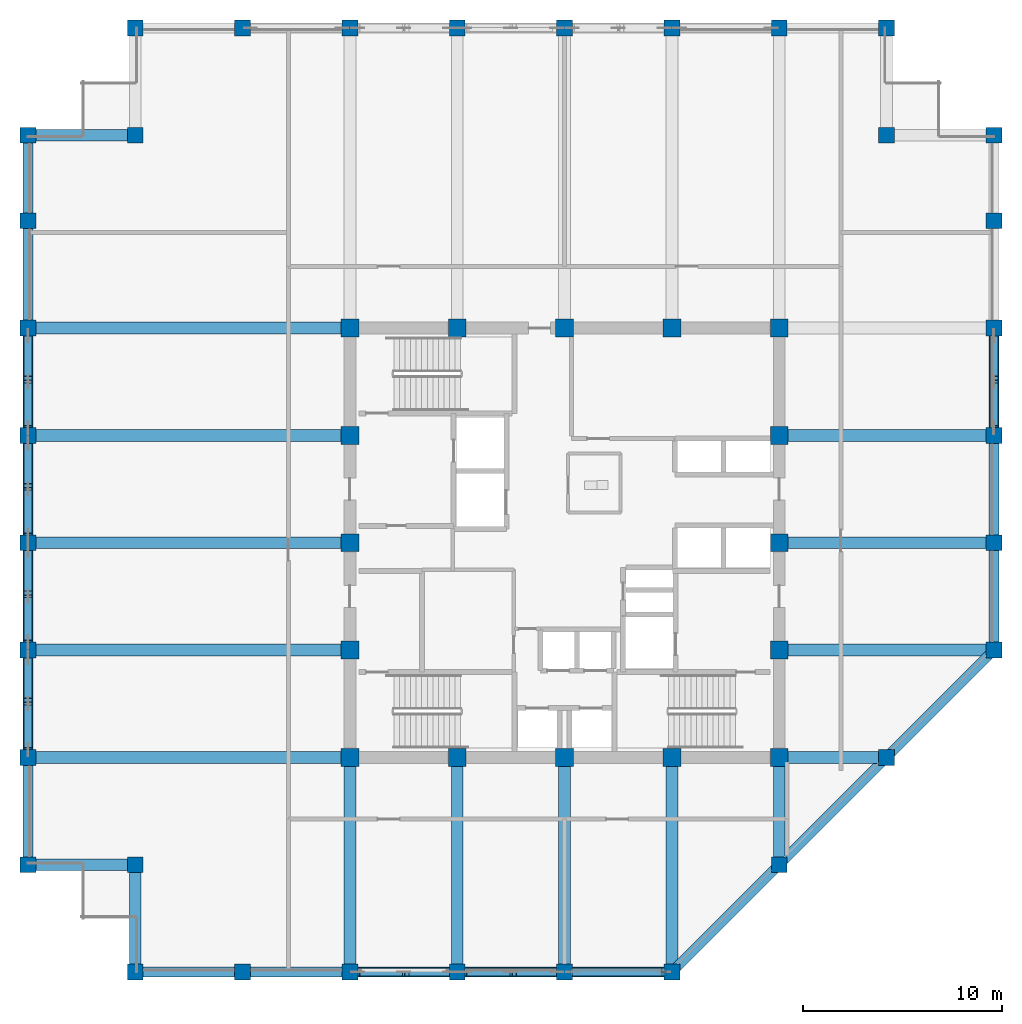
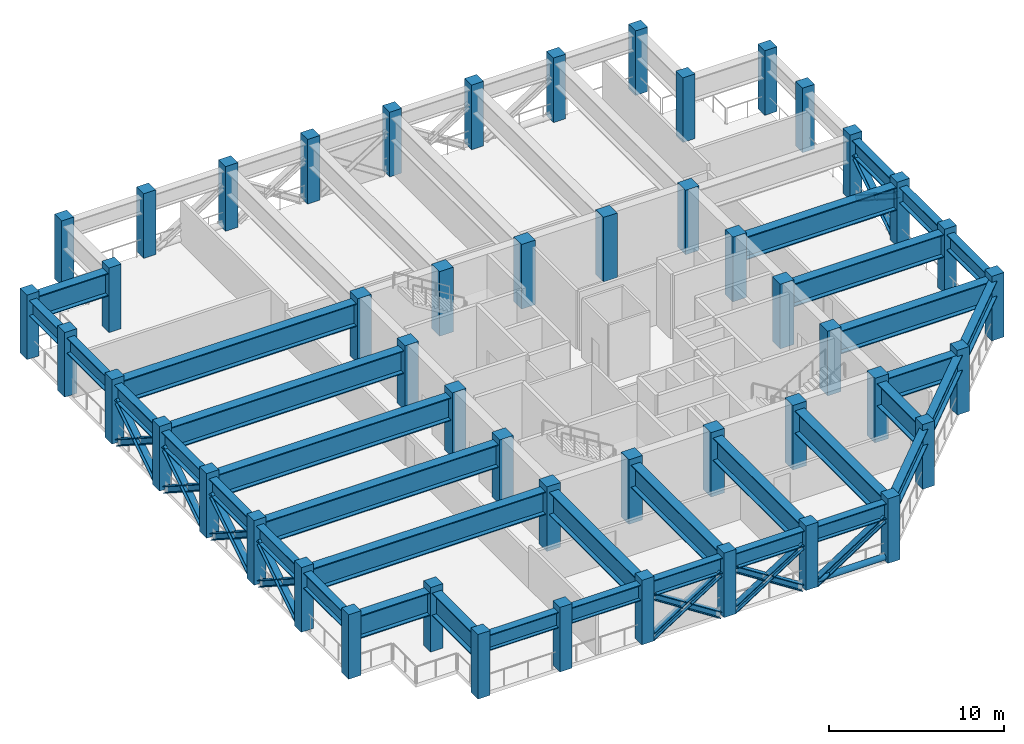
# One storey, part 1 of 11: 49 columns, 35 beams, 23 members.
"""IFC4 building model written with IfcOpenShell, lengths in metres."""

from ifc_helpers import new_model, si_unit, direction, frame, origin, origin_2d, place, context, subcontext, project, spatial, rectangle, hollow_circle, i_section, extrude, material, material_profile, profile_set, type_object, element, save


model = new_model("IFC4")

# Units and contexts
model_context = context("Model", 3, precision=1e-05, world=origin(), true_north=direction((0.0, 1.0)))
body_context = subcontext(model_context, "Body", "Model", "MODEL_VIEW")
ifc_project = project(units=[si_unit("LENGTHUNIT", "METRE"), si_unit("AREAUNIT", "SQUARE_METRE"), si_unit("VOLUMEUNIT", "CUBIC_METRE"), si_unit("PLANEANGLEUNIT", "RADIAN"), si_unit("MASSUNIT", "GRAM", prefix="KILO")], contexts=[model_context])

# Site, building, storey
site_placement = place(None, origin())
site = spatial("IfcSite", under=ifc_project, at=site_placement, CompositionType="ELEMENT")
building_placement = place(site_placement, origin())
building = spatial("IfcBuilding", under=site, at=building_placement, Name="Surkhivell Harbour Commons", CompositionType="ELEMENT")
storey_placement = place(building_placement, frame((0.0, 0.0, 254.25)))
storey = spatial("IfcBuildingStorey", under=building, at=storey_placement, Name="L66", CompositionType="ELEMENT", Elevation=254.25)

# Columns
ifc_material_1 = material(Name="Concrete C60/75", Category="concrete")
ifc_material_profile_1 = material_profile(ifc_material_1, rectangle(XDim=0.89990234375, YDim=0.89990234375, at=origin_2d()), Name="RC-COL-900x900")
ifc_profile_set_1 = profile_set([ifc_material_profile_1], Name="Concrete C60/75")
column_type_1 = type_object("IfcColumnType", Name="COL-TUBE-Z3A", PredefinedType="COLUMN", material=ifc_profile_set_1)
for number, where, z_axis, x_axis, name in (
    (1, (-10.800048828125, -10.800048828125, 0.0), (0.0, 0.0, 1.0), (1.0, 0.0, 0.0), "L66 Column CT-3A (-10.8,-10.8)"),
    (2, (-10.800048828125, -5.39990234375, 0.0), (0.0, 0.0, 1.0), (1.0, 0.0, 0.0), "L66 Column CT-3A (-10.8,-5.4)"),
    (3, (-10.800048828125, 0.0, 0.0), (0.0, 0.0, 1.0), (1.0, 0.0, 0.0), "L66 Column CT-3A (-10.8,0.0)"),
    (4, (-10.800048828125, 5.39990234375, 0.0), (0.0, 0.0, 1.0), (1.0, 0.0, 0.0), "L66 Column CT-3A (-10.8,5.4)"),
    (5, (-10.800048828125, 10.800048828125, 0.0), (0.0, 0.0, 1.0), (1.0, 0.0, 0.0), "L66 Column CT-3A (-10.8,10.8)"),
    (6, (-5.39990234375, -10.800048828125, 0.0), (0.0, 0.0, 1.0), (1.0, 0.0, 0.0), "L66 Column CT-3A (-5.4,-10.8)"),
    (7, (-5.39990234375, 10.800048828125, 0.0), (0.0, 0.0, 1.0), (1.0, 0.0, 0.0), "L66 Column CT-3A (-5.4,10.8)"),
    (8, (0.0, -10.800048828125, 0.0), (0.0, 0.0, 1.0), (1.0, 0.0, 0.0), "L66 Column CT-3A (0.0,-10.8)"),
    (9, (0.0, 10.800048828125, 0.0), (0.0, 0.0, 1.0), (1.0, 0.0, 0.0), "L66 Column CT-3A (0.0,10.8)"),
    (10, (5.39990234375, -10.800048828125, 0.0), (0.0, 0.0, 1.0), (1.0, 0.0, 0.0), "L66 Column CT-3A (5.4,-10.8)"),
    (11, (5.39990234375, 10.800048828125, 0.0), (0.0, 0.0, 1.0), (1.0, 0.0, 0.0), "L66 Column CT-3A (5.4,10.8)"),
    (12, (10.800048828125, -10.800048828125, 0.0), (0.0, 0.0, 1.0), (1.0, 0.0, 0.0), "L66 Column CT-3A (10.8,-10.8)"),
    (13, (10.800048828125, -5.39990234375, 0.0), (0.0, 0.0, 1.0), (1.0, 0.0, 0.0), "L66 Column CT-3A (10.8,-5.4)"),
    (14, (10.800048828125, 0.0, 0.0), (0.0, 0.0, 1.0), (1.0, 0.0, 0.0), "L66 Column CT-3A (10.8,0.0)"),
    (15, (10.800048828125, 5.39990234375, 0.0), (0.0, 0.0, 1.0), (1.0, 0.0, 0.0), "L66 Column CT-3A (10.8,5.4)"),
    (16, (10.800048828125, 10.800048828125, 0.0), (0.0, 0.0, 1.0), (1.0, 0.0, 0.0), "L66 Column CT-3A (10.8,10.8)"),
):
    element("IfcColumn", number, at=place(storey_placement, frame(where, z_axis=z_axis, x_axis=x_axis)), inside=storey, type_object=column_type_1, Name=name, PredefinedType="COLUMN", context=body_context, shape_type="SweptSolid", body=[
        extrude(rectangle(XDim=0.89990234375, YDim=0.89990234375, at=origin_2d()), origin(), (0.0, 0.0, 1.0), 4.5),
    ])
ifc_material_2 = material(Name="Concrete C50/60", Category="concrete")
ifc_material_profile_2 = material_profile(ifc_material_2, rectangle(XDim=0.800048828125, YDim=0.800048828125, at=origin_2d()), Name="RC-COL-800x800")
ifc_profile_set_2 = profile_set([ifc_material_profile_2], Name="Concrete C50/60")
column_type_2 = type_object("IfcColumnType", Name="COL-TUBE-Z3B", PredefinedType="COLUMN", material=ifc_profile_set_2)
for number, where, z_axis, x_axis, name in (
    (17, (-27.0, -16.199951171875, 0.0), (0.0, 0.0, 1.0), (1.0, 0.0, 0.0), "L66 Column CT-3B (-27.0,-16.2)"),
    (18, (-27.0, -10.800048828125, 0.0), (0.0, 0.0, 1.0), (1.0, 0.0, 0.0), "L66 Column CT-3B (-27.0,-10.8)"),
    (19, (-27.0, -5.39990234375, 0.0), (0.0, 0.0, 1.0), (1.0, 0.0, 0.0), "L66 Column CT-3B (-27.0,-5.4)"),
    (20, (-27.0, 0.0, 0.0), (0.0, 0.0, 1.0), (1.0, 0.0, 0.0), "L66 Column CT-3B (-27.0,0.0)"),
    (21, (-27.0, 5.39990234375, 0.0), (0.0, 0.0, 1.0), (1.0, 0.0, 0.0), "L66 Column CT-3B (-27.0,5.4)"),
    (22, (-27.0, 10.800048828125, 0.0), (0.0, 0.0, 1.0), (1.0, 0.0, 0.0), "L66 Column CT-3B (-27.0,10.8)"),
    (23, (-27.0, 16.199951171875, 0.0), (0.0, 0.0, 1.0), (1.0, 0.0, 0.0), "L66 Column CT-3B (-27.0,16.2)"),
    (24, (-27.0, 20.5, 0.0), (0.0, 0.0, 1.0), (1.0, 0.0, 0.0), "L66 Column CT-3B (-27.0,20.5)"),
    (25, (-21.60009765625, -21.60009765625, 0.0), (0.0, 0.0, 1.0), (1.0, 0.0, 0.0), "L66 Column CT-3B (-21.6,-21.6)"),
    (26, (-21.60009765625, -16.199951171875, 0.0), (0.0, 0.0, 1.0), (1.0, 0.0, 0.0), "L66 Column CT-3B (-21.6,-16.2)"),
    (27, (-21.60009765625, 20.5, 0.0), (0.0, 0.0, 1.0), (1.0, 0.0, 0.0), "L66 Column CT-3B (-21.6,20.5)"),
    (28, (-21.60009765625, 25.89990234375, 0.0), (0.0, 0.0, 1.0), (1.0, 0.0, 0.0), "L66 Column CT-3B (-21.6,25.9)"),
    (29, (-16.199951171875, -21.60009765625, 0.0), (0.0, 0.0, 1.0), (1.0, 0.0, 0.0), "L66 Column CT-3B (-16.2,-21.6)"),
    (30, (-16.199951171875, 25.89990234375, 0.0), (0.0, 0.0, 1.0), (1.0, 0.0, 0.0), "L66 Column CT-3B (-16.2,25.9)"),
    (31, (-10.800048828125, -21.60009765625, 0.0), (0.0, 0.0, 1.0), (1.0, 0.0, 0.0), "L66 Column CT-3B (-10.8,-21.6)"),
    (32, (-10.800048828125, 25.89990234375, 0.0), (0.0, 0.0, 1.0), (1.0, 0.0, 0.0), "L66 Column CT-3B (-10.8,25.9)"),
    (33, (-5.39990234375, -21.60009765625, 0.0), (0.0, 0.0, 1.0), (1.0, 0.0, 0.0), "L66 Column CT-3B (-5.4,-21.6)"),
    (34, (-5.39990234375, 25.89990234375, 0.0), (0.0, 0.0, 1.0), (1.0, 0.0, 0.0), "L66 Column CT-3B (-5.4,25.9)"),
    (35, (0.0, -21.60009765625, 0.0), (0.0, 0.0, 1.0), (1.0, 0.0, 0.0), "L66 Column CT-3B (-0.0,-21.6)"),
    (36, (0.0, 25.89990234375, 0.0), (0.0, 0.0, 1.0), (1.0, 0.0, 0.0), "L66 Column CT-3B (-0.0,25.9)"),
    (37, (5.39990234375, -21.60009765625, 0.0), (0.0, 0.0, 1.0), (1.0, 0.0, 0.0), "L66 Column CT-3B (5.4,-21.6)"),
    (38, (5.39990234375, 25.89990234375, 0.0), (0.0, 0.0, 1.0), (1.0, 0.0, 0.0), "L66 Column CT-3B (5.4,25.9)"),
    (39, (10.800048828125, -16.199951171875, 0.0), (0.0, 0.0, 1.0), (1.0, 0.0, 0.0), "L66 Column CT-3B (10.8,-16.2)"),
    (40, (10.800048828125, 25.89990234375, 0.0), (0.0, 0.0, 1.0), (1.0, 0.0, 0.0), "L66 Column CT-3B (10.8,25.9)"),
    (41, (16.199951171875, -10.800048828125, 0.0), (0.0, 0.0, 1.0), (1.0, 0.0, 0.0), "L66 Column CT-3B (16.2,-10.8)"),
    (42, (16.199951171875, 20.5, 0.0), (0.0, 0.0, 1.0), (1.0, 0.0, 0.0), "L66 Column CT-3B (16.2,20.5)"),
    (43, (16.199951171875, 25.89990234375, 0.0), (0.0, 0.0, 1.0), (1.0, 0.0, 0.0), "L66 Column CT-3B (16.2,25.9)"),
    (44, (21.60009765625, -5.39990234375, 0.0), (0.0, 0.0, 1.0), (1.0, 0.0, 0.0), "L66 Column CT-3B (21.6,-5.4)"),
    (45, (21.60009765625, 0.0, 0.0), (0.0, 0.0, 1.0), (1.0, 0.0, 0.0), "L66 Column CT-3B (21.6,0.0)"),
    (46, (21.60009765625, 5.39990234375, 0.0), (0.0, 0.0, 1.0), (1.0, 0.0, 0.0), "L66 Column CT-3B (21.6,5.4)"),
    (47, (21.60009765625, 10.800048828125, 0.0), (0.0, 0.0, 1.0), (1.0, 0.0, 0.0), "L66 Column CT-3B (21.6,10.8)"),
    (48, (21.60009765625, 16.199951171875, 0.0), (0.0, 0.0, 1.0), (1.0, 0.0, 0.0), "L66 Column CT-3B (21.6,16.2)"),
    (49, (21.60009765625, 20.5, 0.0), (0.0, 0.0, 1.0), (1.0, 0.0, 0.0), "L66 Column CT-3B (21.6,20.5)"),
):
    element("IfcColumn", number, at=place(storey_placement, frame(where, z_axis=z_axis, x_axis=x_axis)), inside=storey, type_object=column_type_2, Name=name, PredefinedType="COLUMN", context=body_context, shape_type="SweptSolid", body=[
        extrude(rectangle(XDim=0.800048828125, YDim=0.800048828125, at=origin_2d()), origin(), (0.0, 0.0, 1.0), 4.5),
    ])

# Beams
ifc_material_3 = material(Name="Steel S460", Category="steel")
ifc_material_profile_3 = material_profile(ifc_material_3, i_section(OverallWidth=0.5, OverallDepth=1.10009765625, WebThickness=0.028076171875, FlangeThickness=0.054931640625, at=origin_2d()), Name="WPG1100x500x210")
ifc_profile_set_3 = profile_set([ifc_material_profile_3], Name="Steel S460")
beam_type_1 = type_object("IfcBeamType", Name="BM-BLT-1100", PredefinedType="BEAM", material=ifc_profile_set_3)
beam_1_placement = place(storey_placement, frame((-27.0, -16.199951171875, 3.530029296875), z_axis=(0.0, 1.0, 0.0), x_axis=(-1.0, 0.0, 0.0)))
element("IfcBeam", 50, at=beam_1_placement, inside=storey, type_object=beam_type_1, Name="L66 Tube Spandrel (-27.0,-16.2)", PredefinedType="BEAM", context=body_context, shape_type="SweptSolid", body=[
    extrude(i_section(OverallWidth=0.5, OverallDepth=1.10009765625, WebThickness=0.028076171875, FlangeThickness=0.054931640625, at=origin_2d()), origin(), (0.0, 0.0, 1.0), 5.39990234375),
])
beam_2_placement = place(storey_placement, frame((-27.0, -10.800048828125, 3.530029296875), z_axis=(0.0, 1.0, 0.0), x_axis=(-1.0, 0.0, 0.0)))
element("IfcBeam", 51, at=beam_2_placement, inside=storey, type_object=beam_type_1, Name="L66 Tube Spandrel (-27.0,-10.8)", PredefinedType="BEAM", context=body_context, shape_type="SweptSolid", body=[
    extrude(i_section(OverallWidth=0.5, OverallDepth=1.10009765625, WebThickness=0.028076171875, FlangeThickness=0.054931640625, at=origin_2d()), origin(), (0.0, 0.0, 1.0), 5.400146484375),
])
for number, where, z_axis, x_axis, name in (
    (52, (-27.0, -5.39990234375, 3.530029296875), (0.0, 1.0, 0.0), (-1.0, 0.0, 0.0), "L66 Tube Spandrel (-27.0,-5.4)"),
    (53, (-27.0, 0.0, 3.530029296875), (0.0, 1.0, 0.0), (-1.0, 0.0, 0.0), "L66 Tube Spandrel (-27.0,0.0)"),
):
    element("IfcBeam", number, at=place(storey_placement, frame(where, z_axis=z_axis, x_axis=x_axis)), inside=storey, type_object=beam_type_1, Name=name, PredefinedType="BEAM", context=body_context, shape_type="SweptSolid", body=[
        extrude(i_section(OverallWidth=0.5, OverallDepth=1.10009765625, WebThickness=0.028076171875, FlangeThickness=0.054931640625, at=origin_2d()), origin(), (0.0, 0.0, 1.0), 5.39990234375),
    ])
beam_3_placement = place(storey_placement, frame((-27.0, 5.39990234375, 3.530029296875), z_axis=(0.0, 1.0, 0.0), x_axis=(-1.0, 0.0, 0.0)))
element("IfcBeam", 54, at=beam_3_placement, inside=storey, type_object=beam_type_1, Name="L66 Tube Spandrel (-27.0,5.4)", PredefinedType="BEAM", context=body_context, shape_type="SweptSolid", body=[
    extrude(i_section(OverallWidth=0.5, OverallDepth=1.10009765625, WebThickness=0.028076171875, FlangeThickness=0.054931640625, at=origin_2d()), origin(), (0.0, 0.0, 1.0), 5.400146484375),
])
beam_4_placement = place(storey_placement, frame((-27.0, 10.800048828125, 3.530029296875), z_axis=(0.0, 1.0, 0.0), x_axis=(-1.0, 0.0, 0.0)))
element("IfcBeam", 55, at=beam_4_placement, inside=storey, type_object=beam_type_1, Name="L66 Tube Spandrel (-27.0,10.8)", PredefinedType="BEAM", context=body_context, shape_type="SweptSolid", body=[
    extrude(i_section(OverallWidth=0.5, OverallDepth=1.10009765625, WebThickness=0.028076171875, FlangeThickness=0.054931640625, at=origin_2d()), origin(), (0.0, 0.0, 1.0), 5.39990234375),
])
beam_5_placement = place(storey_placement, frame((-27.0, 16.199951171875, 3.530029296875), z_axis=(0.0, 1.0, 0.0), x_axis=(-1.0, 0.0, 0.0)))
element("IfcBeam", 56, at=beam_5_placement, inside=storey, type_object=beam_type_1, Name="L66 Tube Spandrel (-27.0,16.2)", PredefinedType="BEAM", context=body_context, shape_type="SweptSolid", body=[
    extrude(i_section(OverallWidth=0.5, OverallDepth=1.10009765625, WebThickness=0.028076171875, FlangeThickness=0.054931640625, at=origin_2d()), origin(), (0.0, 0.0, 1.0), 4.300048828125),
])
beam_6_placement = place(storey_placement, frame((-21.60009765625, -21.60009765625, 3.530029296875), z_axis=(1.0, 0.0, 0.0), x_axis=(0.0, 1.0, 0.0)))
element("IfcBeam", 57, at=beam_6_placement, inside=storey, type_object=beam_type_1, Name="L66 Tube Spandrel (-21.6,-21.6)", PredefinedType="BEAM", context=body_context, shape_type="SweptSolid", body=[
    extrude(i_section(OverallWidth=0.5, OverallDepth=1.10009765625, WebThickness=0.028076171875, FlangeThickness=0.054931640625, at=origin_2d()), origin(), (0.0, 0.0, 1.0), 5.400146484375),
])
beam_7_placement = place(storey_placement, frame((-16.199951171875, -21.60009765625, 3.530029296875), z_axis=(1.0, 0.0, 0.0), x_axis=(0.0, 1.0, 0.0)))
element("IfcBeam", 58, at=beam_7_placement, inside=storey, type_object=beam_type_1, Name="L66 Tube Spandrel (-16.2,-21.6)", PredefinedType="BEAM", context=body_context, shape_type="SweptSolid", body=[
    extrude(i_section(OverallWidth=0.5, OverallDepth=1.10009765625, WebThickness=0.028076171875, FlangeThickness=0.054931640625, at=origin_2d()), origin(), (0.0, 0.0, 1.0), 5.39990234375),
])
beam_8_placement = place(storey_placement, frame((-10.800048828125, -21.60009765625, 3.530029296875), z_axis=(1.0, 0.0, 0.0), x_axis=(0.0, 1.0, 0.0)))
element("IfcBeam", 59, at=beam_8_placement, inside=storey, type_object=beam_type_1, Name="L66 Tube Spandrel (-10.8,-21.6)", PredefinedType="BEAM", context=body_context, shape_type="SweptSolid", body=[
    extrude(i_section(OverallWidth=0.5, OverallDepth=1.10009765625, WebThickness=0.028076171875, FlangeThickness=0.054931640625, at=origin_2d()), origin(), (0.0, 0.0, 1.0), 5.400146484375),
])
for number, where, z_axis, x_axis, name in (
    (60, (-5.39990234375, -21.60009765625, 3.530029296875), (1.0, 0.0, 0.0), (0.0, 1.0, 0.0), "L66 Tube Spandrel (-5.4,-21.6)"),
    (61, (0.0, -21.60009765625, 3.530029296875), (1.0, 0.0, 0.0), (0.0, 1.0, 0.0), "L66 Tube Spandrel (-0.0,-21.6)"),
):
    element("IfcBeam", number, at=place(storey_placement, frame(where, z_axis=z_axis, x_axis=x_axis)), inside=storey, type_object=beam_type_1, Name=name, PredefinedType="BEAM", context=body_context, shape_type="SweptSolid", body=[
        extrude(i_section(OverallWidth=0.5, OverallDepth=1.10009765625, WebThickness=0.028076171875, FlangeThickness=0.054931640625, at=origin_2d()), origin(), (0.0, 0.0, 1.0), 5.39990234375),
    ])
beam_9_placement = place(storey_placement, frame((5.39990234375, -21.60009765625, 3.530029296875), z_axis=(0.707106781187, 0.707106781187, 0.0), x_axis=(-0.707106781187, 0.707106781187, 0.0)))
element("IfcBeam", 62, at=beam_9_placement, inside=storey, type_object=beam_type_1, Name="L66 Tube Spandrel (5.4,-21.6)", PredefinedType="BEAM", context=body_context, shape_type="SweptSolid", body=[
    extrude(i_section(OverallWidth=0.5, OverallDepth=1.10009765625, WebThickness=0.028076171875, FlangeThickness=0.054931640625, at=origin_2d()), origin(), (0.0, 0.0, 1.0), 7.636962890625),
])
beam_10_placement = place(storey_placement, frame((10.800048828125, -16.199951171875, 3.530029296875), z_axis=(0.707106781187, 0.707106781187, 0.0), x_axis=(-0.707106781187, 0.707106781187, 0.0)))
element("IfcBeam", 63, at=beam_10_placement, inside=storey, type_object=beam_type_1, Name="L66 Tube Spandrel (10.8,-16.2)", PredefinedType="BEAM", context=body_context, shape_type="SweptSolid", body=[
    extrude(i_section(OverallWidth=0.5, OverallDepth=1.10009765625, WebThickness=0.028076171875, FlangeThickness=0.054931640625, at=origin_2d()), origin(), (0.0, 0.0, 1.0), 7.63671875),
])
beam_11_placement = place(storey_placement, frame((16.199951171875, -10.800048828125, 3.530029296875), z_axis=(0.707106781187, 0.707106781187, 0.0), x_axis=(-0.707106781187, 0.707106781187, 0.0)))
element("IfcBeam", 64, at=beam_11_placement, inside=storey, type_object=beam_type_1, Name="L66 Tube Spandrel (16.2,-10.8)", PredefinedType="BEAM", context=body_context, shape_type="SweptSolid", body=[
    extrude(i_section(OverallWidth=0.5, OverallDepth=1.10009765625, WebThickness=0.028076171875, FlangeThickness=0.054931640625, at=origin_2d()), origin(), (0.0, 0.0, 1.0), 7.636962890625),
])
for number, where, z_axis, x_axis, name in (
    (65, (21.60009765625, -5.39990234375, 3.530029296875), (0.0, 1.0, 0.0), (-1.0, 0.0, 0.0), "L66 Tube Spandrel (21.6,-5.4)"),
    (66, (21.60009765625, 0.0, 3.530029296875), (0.0, 1.0, 0.0), (-1.0, 0.0, 0.0), "L66 Tube Spandrel (21.6,0.0)"),
):
    element("IfcBeam", number, at=place(storey_placement, frame(where, z_axis=z_axis, x_axis=x_axis)), inside=storey, type_object=beam_type_1, Name=name, PredefinedType="BEAM", context=body_context, shape_type="SweptSolid", body=[
        extrude(i_section(OverallWidth=0.5, OverallDepth=1.10009765625, WebThickness=0.028076171875, FlangeThickness=0.054931640625, at=origin_2d()), origin(), (0.0, 0.0, 1.0), 5.39990234375),
    ])
beam_12_placement = place(storey_placement, frame((21.60009765625, 5.39990234375, 3.530029296875), z_axis=(0.0, 1.0, 0.0), x_axis=(-1.0, 0.0, 0.0)))
element("IfcBeam", 67, at=beam_12_placement, inside=storey, type_object=beam_type_1, Name="L66 Tube Spandrel (21.6,5.4)", PredefinedType="BEAM", context=body_context, shape_type="SweptSolid", body=[
    extrude(i_section(OverallWidth=0.5, OverallDepth=1.10009765625, WebThickness=0.028076171875, FlangeThickness=0.054931640625, at=origin_2d()), origin(), (0.0, 0.0, 1.0), 5.400146484375),
])
ifc_material_profile_4 = material_profile(ifc_material_3, i_section(OverallWidth=0.60009765625, OverallDepth=1.60009765625, WebThickness=0.035888671875, FlangeThickness=0.06494140625, at=origin_2d()), Name="WPG1600x600x296")
ifc_profile_set_4 = profile_set([ifc_material_profile_4], Name="Steel S460")
beam_type_2 = type_object("IfcBeamType", Name="BM-TRF-1600", PredefinedType="BEAM", material=ifc_profile_set_4)
beam_13_placement = place(storey_placement, frame((-27.0, -16.199951171875, 3.280029296875), z_axis=(1.0, 0.0, 0.0), x_axis=(0.0, 1.0, 0.0)))
element("IfcBeam", 68, at=beam_13_placement, inside=storey, type_object=beam_type_2, Name="L66 Floor Girder (-27.0,-16.2)", PredefinedType="BEAM", context=body_context, shape_type="SweptSolid", body=[
    extrude(i_section(OverallWidth=0.60009765625, OverallDepth=1.60009765625, WebThickness=0.035888671875, FlangeThickness=0.06494140625, at=origin_2d()), origin(), (0.0, 0.0, 1.0), 5.39990234375),
])
for number, where, z_axis, x_axis, name in (
    (69, (-27.0, -10.800048828125, 3.280029296875), (1.0, 0.0, 0.0), (0.0, 1.0, 0.0), "L66 Floor Girder (-27.0,-10.8)"),
    (70, (-27.0, -5.39990234375, 3.280029296875), (1.0, 0.0, 0.0), (0.0, 1.0, 0.0), "L66 Floor Girder (-27.0,-5.4)"),
    (71, (-27.0, 0.0, 3.280029296875), (1.0, 0.0, 0.0), (0.0, 1.0, 0.0), "L66 Floor Girder (-27.0,0.0)"),
    (72, (-27.0, 5.39990234375, 3.280029296875), (1.0, 0.0, 0.0), (0.0, 1.0, 0.0), "L66 Floor Girder (-27.0,5.4)"),
    (73, (-27.0, 10.800048828125, 3.280029296875), (1.0, 0.0, 0.0), (0.0, 1.0, 0.0), "L66 Floor Girder (-27.0,10.8)"),
):
    element("IfcBeam", number, at=place(storey_placement, frame(where, z_axis=z_axis, x_axis=x_axis)), inside=storey, type_object=beam_type_2, Name=name, PredefinedType="BEAM", context=body_context, shape_type="SweptSolid", body=[
        extrude(i_section(OverallWidth=0.60009765625, OverallDepth=1.60009765625, WebThickness=0.035888671875, FlangeThickness=0.06494140625, at=origin_2d()), origin(), (0.0, 0.0, 1.0), 16.199951171875),
    ])
beam_14_placement = place(storey_placement, frame((-27.0, 20.5, 3.280029296875), z_axis=(1.0, 0.0, 0.0), x_axis=(0.0, 1.0, 0.0)))
element("IfcBeam", 74, at=beam_14_placement, inside=storey, type_object=beam_type_2, Name="L66 Floor Girder (-27.0,20.5)", PredefinedType="BEAM", context=body_context, shape_type="SweptSolid", body=[
    extrude(i_section(OverallWidth=0.60009765625, OverallDepth=1.60009765625, WebThickness=0.035888671875, FlangeThickness=0.06494140625, at=origin_2d()), origin(), (0.0, 0.0, 1.0), 5.39990234375),
])
beam_15_placement = place(storey_placement, frame((-21.60009765625, -21.60009765625, 3.280029296875), z_axis=(0.0, 1.0, 0.0), x_axis=(-1.0, 0.0, 0.0)))
element("IfcBeam", 75, at=beam_15_placement, inside=storey, type_object=beam_type_2, Name="L66 Floor Girder (-21.6,-21.6)", PredefinedType="BEAM", context=body_context, shape_type="SweptSolid", body=[
    extrude(i_section(OverallWidth=0.60009765625, OverallDepth=1.60009765625, WebThickness=0.035888671875, FlangeThickness=0.06494140625, at=origin_2d()), origin(), (0.0, 0.0, 1.0), 5.400146484375),
])
for number, where, z_axis, x_axis, name in (
    (76, (-10.800048828125, -21.60009765625, 3.280029296875), (0.0, 1.0, 0.0), (-1.0, 0.0, 0.0), "L66 Floor Girder (-10.8,-21.6)"),
    (77, (-5.39990234375, -21.60009765625, 3.280029296875), (0.0, 1.0, 0.0), (-1.0, 0.0, 0.0), "L66 Floor Girder (-5.4,-21.6)"),
    (78, (0.0, -21.60009765625, 3.280029296875), (0.0, 1.0, 0.0), (-1.0, 0.0, 0.0), "L66 Floor Girder (0.0,-21.6)"),
    (79, (5.39990234375, -21.60009765625, 3.280029296875), (0.0, 1.0, 0.0), (-1.0, 0.0, 0.0), "L66 Floor Girder (5.4,-21.6)"),
):
    element("IfcBeam", number, at=place(storey_placement, frame(where, z_axis=z_axis, x_axis=x_axis)), inside=storey, type_object=beam_type_2, Name=name, PredefinedType="BEAM", context=body_context, shape_type="SweptSolid", body=[
        extrude(i_section(OverallWidth=0.60009765625, OverallDepth=1.60009765625, WebThickness=0.035888671875, FlangeThickness=0.06494140625, at=origin_2d()), origin(), (0.0, 0.0, 1.0), 10.800048828125),
    ])
for number, where, z_axis, x_axis, name in (
    (80, (10.800048828125, -16.199951171875, 3.280029296875), (0.0, 1.0, 0.0), (-1.0, 0.0, 0.0), "L66 Floor Girder (10.8,-16.2)"),
    (81, (10.800048828125, -10.800048828125, 3.280029296875), (1.0, 0.0, 0.0), (0.0, 1.0, 0.0), "L66 Floor Girder (10.8,-10.8)"),
):
    element("IfcBeam", number, at=place(storey_placement, frame(where, z_axis=z_axis, x_axis=x_axis)), inside=storey, type_object=beam_type_2, Name=name, PredefinedType="BEAM", context=body_context, shape_type="SweptSolid", body=[
        extrude(i_section(OverallWidth=0.60009765625, OverallDepth=1.60009765625, WebThickness=0.035888671875, FlangeThickness=0.06494140625, at=origin_2d()), origin(), (0.0, 0.0, 1.0), 5.39990234375),
    ])
for number, where, z_axis, x_axis, name in (
    (82, (10.800048828125, -5.39990234375, 3.280029296875), (1.0, 0.0, 0.0), (0.0, 1.0, 0.0), "L66 Floor Girder (10.8,-5.4)"),
    (83, (10.800048828125, 0.0, 3.280029296875), (1.0, 0.0, 0.0), (0.0, 1.0, 0.0), "L66 Floor Girder (10.8,0.0)"),
    (84, (10.800048828125, 5.39990234375, 3.280029296875), (1.0, 0.0, 0.0), (0.0, 1.0, 0.0), "L66 Floor Girder (10.8,5.4)"),
):
    element("IfcBeam", number, at=place(storey_placement, frame(where, z_axis=z_axis, x_axis=x_axis)), inside=storey, type_object=beam_type_2, Name=name, PredefinedType="BEAM", context=body_context, shape_type="SweptSolid", body=[
        extrude(i_section(OverallWidth=0.60009765625, OverallDepth=1.60009765625, WebThickness=0.035888671875, FlangeThickness=0.06494140625, at=origin_2d()), origin(), (0.0, 0.0, 1.0), 10.800048828125),
    ])

# Members
ifc_material_profile_5 = material_profile(ifc_material_3, i_section(OverallWidth=0.406005859375, OverallDepth=0.416015625, WebThickness=0.026611328125, FlangeThickness=0.0390625, at=origin_2d()), Name="HD400x382")
ifc_profile_set_5 = profile_set([ifc_material_profile_5], Name="Steel S460")
member_type_1 = type_object("IfcMemberType", Name="MEM-BLT-BT1", PredefinedType="BRACE", material=ifc_profile_set_5)
member_1_placement = place(storey_placement, frame((-27.0, -5.014892578125, 0.008056640625), z_axis=(0.0, 0.84122171058, 0.54069033064), x_axis=(-1.0, 0.0, 0.0)))
element("IfcMember", 85, at=member_1_placement, inside=storey, type_object=member_type_1, Name="L66 Belt-Truss Diagonal BT- 01", PredefinedType="BRACE", context=body_context, shape_type="SweptSolid", body=[
    extrude(i_section(OverallWidth=0.406005859375, OverallDepth=0.416015625, WebThickness=0.026611328125, FlangeThickness=0.0390625, at=origin_2d()), origin(), (0.0, 0.0, 1.0), 5.503662109375),
])
for number, where, z_axis, x_axis, name in (
    (86, (-27.0, -0.385009765625, 0.008056640625), (0.0, -0.841234416459, 0.540670561955), (1.0, 0.0, 0.0), "L66 Belt-Truss Diagonal BT- 02"),
    (87, (-27.0, -2.867919921875, 1.60400390625), (0.0, -0.841234416459, 0.540670561955), (1.0, 0.0, 0.0), "L66 Belt-Truss Diagonal BT- 03"),
):
    element("IfcMember", number, at=place(storey_placement, frame(where, z_axis=z_axis, x_axis=x_axis)), inside=storey, type_object=member_type_1, Name=name, PredefinedType="BRACE", context=body_context, shape_type="SweptSolid", body=[
        extrude(i_section(OverallWidth=0.406005859375, OverallDepth=0.416015625, WebThickness=0.026611328125, FlangeThickness=0.0390625, at=origin_2d()), origin(), (0.0, 0.0, 1.0), 2.55224609375),
    ])
member_2_placement = place(storey_placement, frame((-27.0, 0.385009765625, 0.008056640625), z_axis=(0.0, 0.84122171058, 0.54069033064), x_axis=(-1.0, 0.0, 0.0)))
element("IfcMember", 88, at=member_2_placement, inside=storey, type_object=member_type_1, Name="L66 Belt-Truss Diagonal BT- 04", PredefinedType="BRACE", context=body_context, shape_type="SweptSolid", body=[
    extrude(i_section(OverallWidth=0.406005859375, OverallDepth=0.416015625, WebThickness=0.026611328125, FlangeThickness=0.0390625, at=origin_2d()), origin(), (0.0, 0.0, 1.0), 5.503662109375),
])
for number, where, z_axis, x_axis, name in (
    (89, (-27.0, 5.014892578125, 0.008056640625), (0.0, -0.841234416459, 0.540670561955), (1.0, 0.0, 0.0), "L66 Belt-Truss Diagonal BT- 05"),
    (90, (-27.0, 2.531982421875, 1.60400390625), (0.0, -0.841234416459, 0.540670561955), (1.0, 0.0, 0.0), "L66 Belt-Truss Diagonal BT- 06"),
):
    element("IfcMember", number, at=place(storey_placement, frame(where, z_axis=z_axis, x_axis=x_axis)), inside=storey, type_object=member_type_1, Name=name, PredefinedType="BRACE", context=body_context, shape_type="SweptSolid", body=[
        extrude(i_section(OverallWidth=0.406005859375, OverallDepth=0.416015625, WebThickness=0.026611328125, FlangeThickness=0.0390625, at=origin_2d()), origin(), (0.0, 0.0, 1.0), 2.55224609375),
    ])
member_3_placement = place(storey_placement, frame((-10.4150390625, -21.60009765625, 0.008056640625), z_axis=(0.841234677996, 0.0, 0.540670155027), x_axis=(0.0, 1.0, 0.0)))
element("IfcMember", 91, at=member_3_placement, inside=storey, type_object=member_type_1, Name="L66 Belt-Truss Diagonal BT- 13", PredefinedType="BRACE", context=body_context, shape_type="SweptSolid", body=[
    extrude(i_section(OverallWidth=0.406005859375, OverallDepth=0.416015625, WebThickness=0.026611328125, FlangeThickness=0.0390625, at=origin_2d()), origin(), (0.0, 0.0, 1.0), 5.50390625),
])
for number, where, z_axis, x_axis, name in (
    (92, (-5.784912109375, -21.60009765625, 0.008056640625), (-0.841234416459, 0.0, 0.540670561955), (0.0, -1.0, 0.0), "L66 Belt-Truss Diagonal BT- 14"),
    (93, (-8.26806640625, -21.60009765625, 1.60400390625), (-0.841234416459, 0.0, 0.540670561955), (0.0, -1.0, 0.0), "L66 Belt-Truss Diagonal BT- 15"),
):
    element("IfcMember", number, at=place(storey_placement, frame(where, z_axis=z_axis, x_axis=x_axis)), inside=storey, type_object=member_type_1, Name=name, PredefinedType="BRACE", context=body_context, shape_type="SweptSolid", body=[
        extrude(i_section(OverallWidth=0.406005859375, OverallDepth=0.416015625, WebThickness=0.026611328125, FlangeThickness=0.0390625, at=origin_2d()), origin(), (0.0, 0.0, 1.0), 2.55224609375),
    ])
member_4_placement = place(storey_placement, frame((-5.014892578125, -21.60009765625, 0.008056640625), z_axis=(0.84122171058, 0.0, 0.54069033064), x_axis=(0.0, 1.0, 0.0)))
element("IfcMember", 94, at=member_4_placement, inside=storey, type_object=member_type_1, Name="L66 Belt-Truss Diagonal BT- 16", PredefinedType="BRACE", context=body_context, shape_type="SweptSolid", body=[
    extrude(i_section(OverallWidth=0.406005859375, OverallDepth=0.416015625, WebThickness=0.026611328125, FlangeThickness=0.0390625, at=origin_2d()), origin(), (0.0, 0.0, 1.0), 5.503662109375),
])
for number, where, z_axis, x_axis, name in (
    (95, (-0.385009765625, -21.60009765625, 0.008056640625), (-0.841234416459, 0.0, 0.540670561955), (0.0, -1.0, 0.0), "L66 Belt-Truss Diagonal BT- 17"),
    (96, (-2.867919921875, -21.60009765625, 1.60400390625), (-0.841234416459, 0.0, 0.540670561955), (0.0, -1.0, 0.0), "L66 Belt-Truss Diagonal BT- 18"),
):
    element("IfcMember", number, at=place(storey_placement, frame(where, z_axis=z_axis, x_axis=x_axis)), inside=storey, type_object=member_type_1, Name=name, PredefinedType="BRACE", context=body_context, shape_type="SweptSolid", body=[
        extrude(i_section(OverallWidth=0.406005859375, OverallDepth=0.416015625, WebThickness=0.026611328125, FlangeThickness=0.0390625, at=origin_2d()), origin(), (0.0, 0.0, 1.0), 2.55224609375),
    ])
member_5_placement = place(storey_placement, frame((21.60009765625, 5.784912109375, 0.008056640625), z_axis=(0.0, 0.841234677996, 0.540670155027), x_axis=(-1.0, 0.0, 0.0)))
element("IfcMember", 97, at=member_5_placement, inside=storey, type_object=member_type_1, Name="L66 Belt-Truss Diagonal BT- 19", PredefinedType="BRACE", context=body_context, shape_type="SweptSolid", body=[
    extrude(i_section(OverallWidth=0.406005859375, OverallDepth=0.416015625, WebThickness=0.026611328125, FlangeThickness=0.0390625, at=origin_2d()), origin(), (0.0, 0.0, 1.0), 5.50390625),
])
for number, where, z_axis, x_axis, name in (
    (98, (21.60009765625, 10.4150390625, 0.008056640625), (0.0, -0.841234416459, 0.540670561955), (1.0, 0.0, 0.0), "L66 Belt-Truss Diagonal BT- 20"),
    (99, (21.60009765625, 7.931884765625, 1.60400390625), (0.0, -0.841234416459, 0.540670561955), (1.0, 0.0, 0.0), "L66 Belt-Truss Diagonal BT- 21"),
):
    element("IfcMember", number, at=place(storey_placement, frame(where, z_axis=z_axis, x_axis=x_axis)), inside=storey, type_object=member_type_1, Name=name, PredefinedType="BRACE", context=body_context, shape_type="SweptSolid", body=[
        extrude(i_section(OverallWidth=0.406005859375, OverallDepth=0.416015625, WebThickness=0.026611328125, FlangeThickness=0.0390625, at=origin_2d()), origin(), (0.0, 0.0, 1.0), 2.55224609375),
    ])
member_6_placement = place(storey_placement, frame((-27.0, -10.4150390625, 0.008056640625), z_axis=(0.0, 0.841234677996, 0.540670155027), x_axis=(-1.0, 0.0, 0.0)))
element("IfcMember", 100, at=member_6_placement, inside=storey, type_object=member_type_1, Name="L66 Belt-Truss Diagonal BT- 25", PredefinedType="BRACE", context=body_context, shape_type="SweptSolid", body=[
    extrude(i_section(OverallWidth=0.406005859375, OverallDepth=0.416015625, WebThickness=0.026611328125, FlangeThickness=0.0390625, at=origin_2d()), origin(), (0.0, 0.0, 1.0), 5.50390625),
])
for number, where, z_axis, x_axis, name in (
    (101, (-27.0, -5.784912109375, 0.008056640625), (0.0, -0.841234416459, 0.540670561955), (1.0, 0.0, 0.0), "L66 Belt-Truss Diagonal BT- 26"),
    (102, (-27.0, -8.26806640625, 1.60400390625), (0.0, -0.841234416459, 0.540670561955), (1.0, 0.0, 0.0), "L66 Belt-Truss Diagonal BT- 27"),
):
    element("IfcMember", number, at=place(storey_placement, frame(where, z_axis=z_axis, x_axis=x_axis)), inside=storey, type_object=member_type_1, Name=name, PredefinedType="BRACE", context=body_context, shape_type="SweptSolid", body=[
        extrude(i_section(OverallWidth=0.406005859375, OverallDepth=0.416015625, WebThickness=0.026611328125, FlangeThickness=0.0390625, at=origin_2d()), origin(), (0.0, 0.0, 1.0), 2.55224609375),
    ])
member_7_placement = place(storey_placement, frame((-27.0, 5.784912109375, 0.008056640625), z_axis=(0.0, 0.841234677996, 0.540670155027), x_axis=(-1.0, 0.0, 0.0)))
element("IfcMember", 103, at=member_7_placement, inside=storey, type_object=member_type_1, Name="L66 Belt-Truss Diagonal BT- 28", PredefinedType="BRACE", context=body_context, shape_type="SweptSolid", body=[
    extrude(i_section(OverallWidth=0.406005859375, OverallDepth=0.416015625, WebThickness=0.026611328125, FlangeThickness=0.0390625, at=origin_2d()), origin(), (0.0, 0.0, 1.0), 5.50390625),
])
for number, where, z_axis, x_axis, name in (
    (104, (-27.0, 10.4150390625, 0.008056640625), (0.0, -0.841234416459, 0.540670561955), (1.0, 0.0, 0.0), "L66 Belt-Truss Diagonal BT- 29"),
    (105, (-27.0, 7.931884765625, 1.60400390625), (0.0, -0.841234416459, 0.540670561955), (1.0, 0.0, 0.0), "L66 Belt-Truss Diagonal BT- 30"),
):
    element("IfcMember", number, at=place(storey_placement, frame(where, z_axis=z_axis, x_axis=x_axis)), inside=storey, type_object=member_type_1, Name=name, PredefinedType="BRACE", context=body_context, shape_type="SweptSolid", body=[
        extrude(i_section(OverallWidth=0.406005859375, OverallDepth=0.416015625, WebThickness=0.026611328125, FlangeThickness=0.0390625, at=origin_2d()), origin(), (0.0, 0.0, 1.0), 2.55224609375),
    ])
ifc_material_profile_6 = material_profile(ifc_material_3, hollow_circle(Radius=0.203125, WallThickness=0.02001953125, at=origin_2d()), Name="CHS406x20")
ifc_profile_set_6 = profile_set([ifc_material_profile_6], Name="Steel S460")
member_type_2 = type_object("IfcMemberType", Name="MEM-CHD-CHS406", PredefinedType="CHORD", material=ifc_profile_set_6)
member_8_placement = place(storey_placement, frame((0.39794921875, -21.60009765625, 0.22998046875), z_axis=(1.0, 0.0, 0.0), x_axis=(0.0, 1.0, 0.0)))
element("IfcMember", 106, at=member_8_placement, inside=storey, type_object=member_type_2, Name="L66 Outrigger Bottom Chord OC-06", PredefinedType="CHORD", context=body_context, shape_type="SweptSolid", body=[
    extrude(hollow_circle(Radius=0.203125, WallThickness=0.02001953125, at=origin_2d()), origin(), (0.0, 0.0, 1.0), 4.60400390625),
])
ifc_material_profile_7 = material_profile(ifc_material_3, i_section(OverallWidth=0.41796875, OverallDepth=0.455078125, WebThickness=0.03759765625, FlangeThickness=0.055908203125, at=origin_2d()), Name="HD400x551")
ifc_profile_set_7 = profile_set([ifc_material_profile_7], Name="Steel S460")
member_type_3 = type_object("IfcMemberType", Name="MEM-OUT-OT1", PredefinedType="BRACE", material=ifc_profile_set_7)
member_9_placement = place(storey_placement, frame((0.39794921875, -21.60009765625, 0.010009765625), z_axis=(0.839818589684, 0.0, 0.542867144355), x_axis=(0.0, 1.0, 0.0)))
element("IfcMember", 107, at=member_9_placement, inside=storey, type_object=member_type_3, Name="L66 Outrigger Truss Diagonal OT-05", PredefinedType="BRACE", context=body_context, shape_type="SweptSolid", body=[
    extrude(i_section(OverallWidth=0.41796875, OverallDepth=0.455078125, WebThickness=0.03759765625, FlangeThickness=0.055908203125, at=origin_2d()), origin(), (0.0, 0.0, 1.0), 5.482177734375),
])

save(model, "model.ifc")
